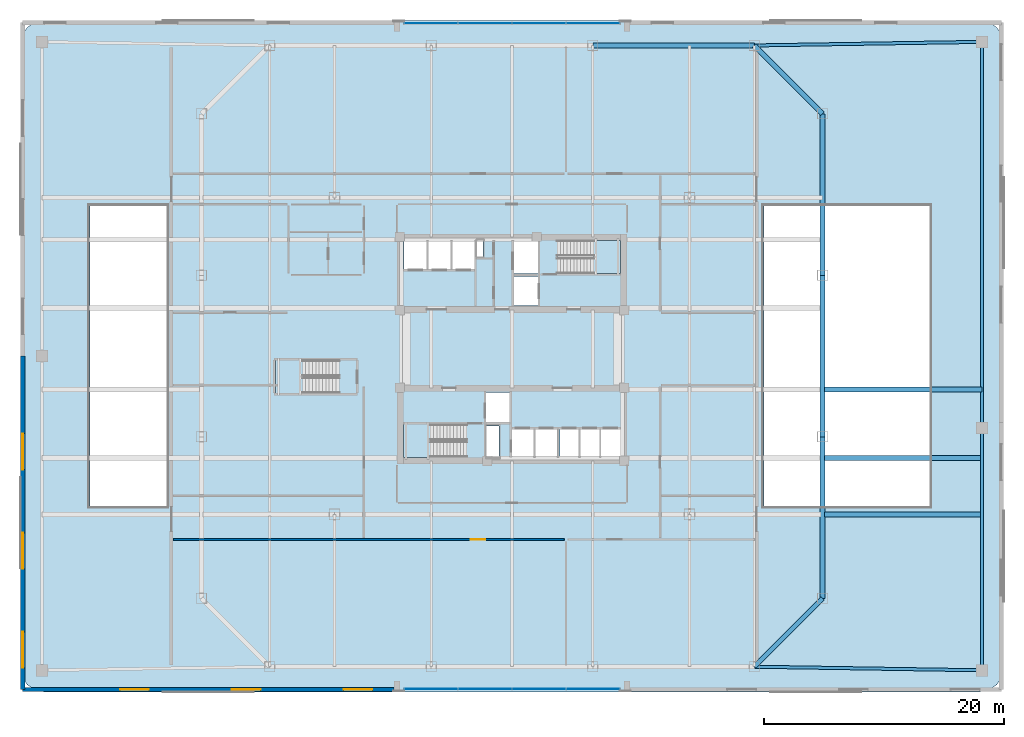
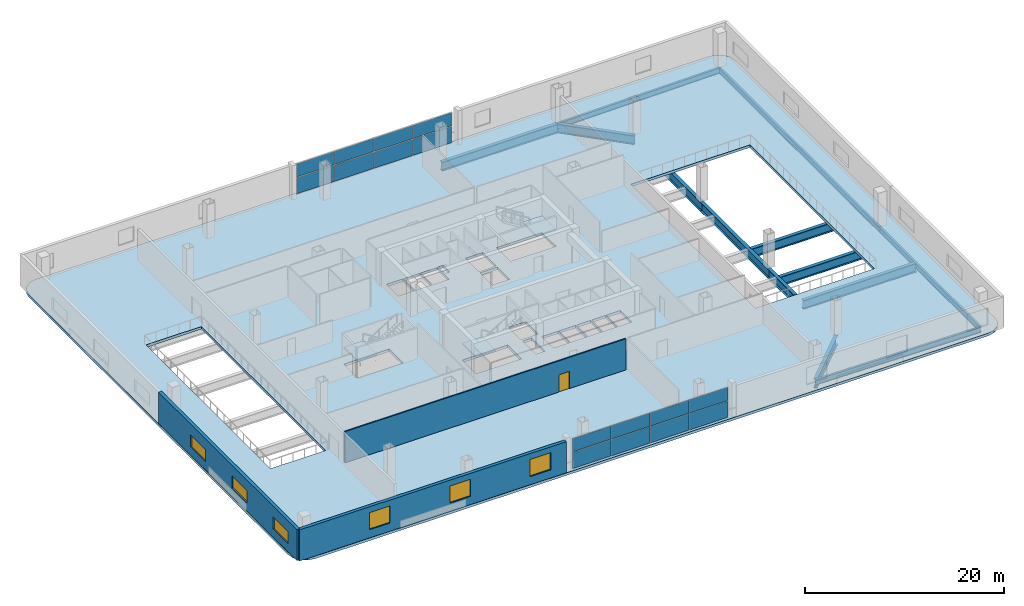
# One storey, part 11 of 21: 16 plates, 13 beams, 6 windows, 4 slabs, 3 walls, 1 door, 7 openings, 5 elements without a shape of their own.
"""IFC4 building model written with IfcOpenShell, lengths in metres."""

from ifc_helpers import new_model, si_unit, direction, frame, frame_2d, origin, origin_2d, place, context, subcontext, project, spatial, polyline, rectangle, i_section, outline, extrude, material, layer, layer_set, material_profile, profile_set, type_object, element, fill, aggregate, save


model = new_model("IFC4")

# Units and contexts
model_context = context("Model", 3, precision=1e-05, world=origin(), true_north=direction((0.0, 1.0)))
body_context = subcontext(model_context, "Body", "Model", "MODEL_VIEW")
ifc_project = project(units=[si_unit("LENGTHUNIT", "METRE"), si_unit("AREAUNIT", "SQUARE_METRE"), si_unit("VOLUMEUNIT", "CUBIC_METRE"), si_unit("PLANEANGLEUNIT", "RADIAN"), si_unit("MASSUNIT", "GRAM", prefix="KILO")], contexts=[model_context])

# Site, building, storey
site_placement = place(None, origin())
site = spatial("IfcSite", under=ifc_project, at=site_placement, CompositionType="ELEMENT")
building_placement = place(site_placement, origin())
building = spatial("IfcBuilding", under=site, at=building_placement, Name="Qhalaya Broadcast Tower", CompositionType="ELEMENT")
storey_placement = place(building_placement, frame((0.0, 0.0, 17.699951171875)))
storey = spatial("IfcBuildingStorey", under=building, at=storey_placement, Name="L04", CompositionType="ELEMENT", Elevation=17.699951171875)

# Beams
ifc_material_1 = material(Name="Structural Steel ASTM A992 Grade 50", Category="steel")
ifc_material_profile_1 = material_profile(ifc_material_1, i_section(OverallWidth=0.25390625, OverallDepth=0.68310546875, WebThickness=0.012451171875, FlangeThickness=0.01904296875, at=origin_2d()), Name="W27X94")
ifc_profile_set_1 = profile_set([ifc_material_profile_1], Name="Structural Steel ASTM A992 Grade 50")
beam_type_1 = type_object("IfcBeamType", Name="Perimeter Ring Spandrel Beam SP1", PredefinedType="SPANDREL", material=ifc_profile_set_1)
for number, where, z_axis, x_axis, name in (
    (1, (20.199951171875, -25.89990234375, -0.661376953125), (0.999875328998, -0.015790074776, 0.0), (0.015790074776, 0.999875328998, 0.0), "L04 SP1 L04-SP-S2"),
    (2, (20.199951171875, 25.89990234375, -0.661376953125), (0.999875328998, 0.015790074776, 0.0), (-0.015790074776, 0.999875328998, 0.0), "L04 SP1 L04-SP-N2"),
):
    element("IfcBeam", number, at=place(storey_placement, frame(where, z_axis=z_axis, x_axis=x_axis)), inside=storey, type_object=beam_type_1, Name=name, PredefinedType="SPANDREL", context=body_context, shape_type="SweptSolid", body=[
        extrude(i_section(OverallWidth=0.25390625, OverallDepth=0.68310546875, WebThickness=0.012451171875, FlangeThickness=0.01904296875, at=origin_2d()), origin(), (0.0, 0.0, 1.0), 19.00244140625),
    ])
beam_1_placement = place(storey_placement, frame((39.199951171875, -26.199951171875, -0.661376953125), z_axis=(0.0, 1.0, 0.0), x_axis=(-1.0, 0.0, 0.0)))
element("IfcBeam", 3, at=beam_1_placement, inside=storey, type_object=beam_type_1, Name="L04 SP1 L04-SP-E1", PredefinedType="SPANDREL", context=body_context, shape_type="SweptSolid", body=[
    extrude(i_section(OverallWidth=0.25390625, OverallDepth=0.68310546875, WebThickness=0.012451171875, FlangeThickness=0.01904296875, at=origin_2d()), origin(), (0.0, 0.0, 1.0), 20.199951171875),
])
beam_2_placement = place(storey_placement, frame((39.199951171875, -6.0, -0.661376953125), z_axis=(0.0, 1.0, 0.0), x_axis=(-1.0, 0.0, 0.0)))
element("IfcBeam", 4, at=beam_2_placement, inside=storey, type_object=beam_type_1, Name="L04 SP1 L04-SP-E2", PredefinedType="SPANDREL", context=body_context, shape_type="SweptSolid", body=[
    extrude(i_section(OverallWidth=0.25390625, OverallDepth=0.68310546875, WebThickness=0.012451171875, FlangeThickness=0.01904296875, at=origin_2d()), origin(), (0.0, 0.0, 1.0), 32.199951171875),
])
ifc_material_profile_2 = material_profile(ifc_material_1, i_section(OverallWidth=0.404052734375, OverallDepth=1.117919921875, WebThickness=0.026123046875, FlangeThickness=0.044921875, at=origin_2d()), Name="W44X335")
ifc_profile_set_2 = profile_set([ifc_material_profile_2], Name="Structural Steel ASTM A992 Grade 50")
beam_type_2 = type_object("IfcBeamType", Name="Podium Long-Span Primary Girder PG1", PredefinedType="USERDEFINED", material=ifc_profile_set_2)
beam_3_placement = place(storey_placement, frame((20.199951171875, -25.89990234375, -0.87890625), z_axis=(0.707106781187, 0.707106781187, 0.0), x_axis=(-0.707106781187, 0.707106781187, 0.0)))
element("IfcBeam", 5, at=beam_3_placement, inside=storey, type_object=beam_type_2, Name="L04 PG1 L04-PG-R04", ObjectType="GIRDER", PredefinedType="USERDEFINED", context=body_context, shape_type="SweptSolid", body=[
    extrude(i_section(OverallWidth=0.404052734375, OverallDepth=1.117919921875, WebThickness=0.026123046875, FlangeThickness=0.044921875, at=origin_2d()), origin(), (0.0, 0.0, 1.0), 8.06103515625),
])
beam_4_placement = place(storey_placement, frame((25.89990234375, -20.199951171875, -0.87890625), z_axis=(0.0, 1.0, 0.0), x_axis=(-1.0, 0.0, 0.0)))
element("IfcBeam", 6, at=beam_4_placement, inside=storey, type_object=beam_type_2, Name="L04 PG1 L04-PG-R05", ObjectType="GIRDER", PredefinedType="USERDEFINED", context=body_context, shape_type="SweptSolid", body=[
    extrude(i_section(OverallWidth=0.404052734375, OverallDepth=1.117919921875, WebThickness=0.026123046875, FlangeThickness=0.044921875, at=origin_2d()), origin(), (0.0, 0.0, 1.0), 13.466552734375),
])
beam_5_placement = place(storey_placement, frame((25.89990234375, -6.7333984375, -0.87890625), z_axis=(0.0, 1.0, 0.0), x_axis=(-1.0, 0.0, 0.0)))
element("IfcBeam", 7, at=beam_5_placement, inside=storey, type_object=beam_type_2, Name="L04 PG1 L04-PG-R06", ObjectType="GIRDER", PredefinedType="USERDEFINED", context=body_context, shape_type="SweptSolid", body=[
    extrude(i_section(OverallWidth=0.404052734375, OverallDepth=1.117919921875, WebThickness=0.026123046875, FlangeThickness=0.044921875, at=origin_2d()), origin(), (0.0, 0.0, 1.0), 13.466796875),
])
beam_6_placement = place(storey_placement, frame((25.89990234375, 6.7333984375, -0.87890625), z_axis=(0.0, 1.0, 0.0), x_axis=(-1.0, 0.0, 0.0)))
element("IfcBeam", 8, at=beam_6_placement, inside=storey, type_object=beam_type_2, Name="L04 PG1 L04-PG-R07", ObjectType="GIRDER", PredefinedType="USERDEFINED", context=body_context, shape_type="SweptSolid", body=[
    extrude(i_section(OverallWidth=0.404052734375, OverallDepth=1.117919921875, WebThickness=0.026123046875, FlangeThickness=0.044921875, at=origin_2d()), origin(), (0.0, 0.0, 1.0), 13.466552734375),
])
beam_7_placement = place(storey_placement, frame((25.89990234375, 20.199951171875, -0.87890625), z_axis=(-0.707106781187, 0.707106781187, 0.0), x_axis=(-0.707106781187, -0.707106781187, 0.0)))
element("IfcBeam", 9, at=beam_7_placement, inside=storey, type_object=beam_type_2, Name="L04 PG1 L04-PG-R08", ObjectType="GIRDER", PredefinedType="USERDEFINED", context=body_context, shape_type="SweptSolid", body=[
    extrude(i_section(OverallWidth=0.404052734375, OverallDepth=1.117919921875, WebThickness=0.026123046875, FlangeThickness=0.044921875, at=origin_2d()), origin(), (0.0, 0.0, 1.0), 8.06103515625),
])
beam_8_placement = place(storey_placement, frame((20.199951171875, 25.89990234375, -0.87890625), z_axis=(-1.0, 0.0, 0.0), x_axis=(0.0, -1.0, 0.0)))
element("IfcBeam", 10, at=beam_8_placement, inside=storey, type_object=beam_type_2, Name="L04 PG1 L04-PG-R09", ObjectType="GIRDER", PredefinedType="USERDEFINED", context=body_context, shape_type="SweptSolid", body=[
    extrude(i_section(OverallWidth=0.404052734375, OverallDepth=1.117919921875, WebThickness=0.026123046875, FlangeThickness=0.044921875, at=origin_2d()), origin(), (0.0, 0.0, 1.0), 13.466552734375),
])
for number, where, z_axis, x_axis, name in (
    (11, (26.0400390625, -13.199951171875, -0.87890625), (1.0, 0.0, 0.0), (0.0, 1.0, 0.0), "L04 PG1 L04-PG-GS5"),
    (12, (26.0400390625, -8.5, -0.87890625), (1.0, 0.0, 0.0), (0.0, 1.0, 0.0), "L04 PG1 L04-PG-E1B"),
    (13, (26.0400390625, -2.800048828125, -0.87890625), (1.0, 0.0, 0.0), (0.0, 1.0, 0.0), "L04 PG1 L04-PG-E2B"),
):
    element("IfcBeam", number, at=place(storey_placement, frame(where, z_axis=z_axis, x_axis=x_axis)), inside=storey, type_object=beam_type_2, Name=name, ObjectType="GIRDER", PredefinedType="USERDEFINED", context=body_context, shape_type="SweptSolid", body=[
        extrude(i_section(OverallWidth=0.404052734375, OverallDepth=1.117919921875, WebThickness=0.026123046875, FlangeThickness=0.044921875, at=origin_2d()), origin(), (0.0, 0.0, 1.0), 13.159912109375),
    ])

# Slab
ifc_material_2 = material(Name="Concrete C40/50", Category="concrete")
ifc_layer_1 = layer(ifc_material_2, 0.320068359375, Name="Concrete C40/50")
ifc_layer_set_1 = layer_set([ifc_layer_1], Name="Concrete C40/50")
slab_type_1 = type_object("IfcSlabType", Name="Podium Soundstage Box-in-Box Floor Slab 320", PredefinedType="FLOOR", material=ifc_layer_set_1)
slab_1_placement = place(storey_placement, frame((0.0, 0.0, -0.320068359375)))
element("IfcSlab", 14, at=slab_1_placement, inside=storey, type_object=slab_type_1, Name="L04 Main Structural Floor Slab", PredefinedType="FLOOR", context=body_context, shape_type="SweptSolid", body=[
    extrude(outline(polyline([(39.0, -28.0), (39.765380859375, -27.847900390625), (40.414306640625, -27.414306640625), (40.847900390625, -26.765380859375), (41.0, -26.0), (41.0, 26.0), (40.847900390625, 26.765380859375), (40.414306640625, 27.414306640625), (39.765380859375, 27.847900390625), (39.0, 28.0), (-39.0, 28.0), (-39.765380859375, 27.847900390625), (-40.414306640625, 27.414306640625), (-40.847900390625, 26.765380859375), (-41.0, 26.0), (-41.0, -26.0), (-40.847900390625, -26.765380859375), (-40.414306640625, -27.414306640625), (-39.765380859375, -27.847900390625), (-39.0, -28.0), (39.0, -28.0)]), holes=[polyline([(3.784912109375, 9.639892578125), (9.050048828125, 9.639892578125), (9.050048828125, 6.8798828125), (3.784912109375, 6.8798828125), (3.784912109375, 9.639892578125)]), polyline([(-3.784912109375, -8.43994140625), (-9.050048828125, -8.43994140625), (-9.050048828125, -5.679931640625), (-3.784912109375, -5.679931640625), (-3.784912109375, -8.43994140625)]), polyline([(-14.43505859375, -3.10009765625), (-19.699951171875, -3.10009765625), (-19.699951171875, -0.340087890625), (-14.43505859375, -0.340087890625), (-14.43505859375, -3.10009765625)]), polyline([(0.14990234375, 6.64990234375), (2.14990234375, 6.64990234375), (2.14990234375, 4.199951171875), (0.14990234375, 4.199951171875), (0.14990234375, 6.64990234375)]), polyline([(0.14990234375, 9.60009765625), (2.14990234375, 9.60009765625), (2.14990234375, 6.89990234375), (0.14990234375, 6.89990234375), (0.14990234375, 9.60009765625)]), polyline([(-2.14990234375, -3.050048828125), (-0.14990234375, -3.050048828125), (-0.14990234375, -5.5), (-2.14990234375, -5.5), (-2.14990234375, -3.050048828125)]), polyline([(-9.0, 9.60009765625), (-7.1201171875, 9.60009765625), (-7.1201171875, 7.25), (-9.0, 7.25), (-9.0, 9.60009765625)]), polyline([(-7.0, 9.60009765625), (-5.1201171875, 9.60009765625), (-5.1201171875, 7.25), (-7.0, 7.25), (-7.0, 9.60009765625)]), polyline([(-5.0, 9.60009765625), (-3.1201171875, 9.60009765625), (-3.1201171875, 7.25), (-5.0, 7.25), (-5.0, 9.60009765625)]), polyline([(-0.050048828125, -6.10009765625), (1.830078125, -6.10009765625), (1.830078125, -8.39990234375), (-0.050048828125, -8.39990234375), (-0.050048828125, -6.10009765625)]), polyline([(1.949951171875, -6.10009765625), (3.830078125, -6.10009765625), (3.830078125, -8.39990234375), (1.949951171875, -8.39990234375), (1.949951171875, -6.10009765625)]), polyline([(4.0, -6.10009765625), (5.60009765625, -6.10009765625), (5.60009765625, -8.39990234375), (4.0, -8.39990234375), (4.0, -6.10009765625)]), polyline([(5.719970703125, -6.10009765625), (7.320068359375, -6.10009765625), (7.320068359375, -8.39990234375), (5.719970703125, -8.39990234375), (5.719970703125, -6.10009765625)]), polyline([(7.43994140625, -6.10009765625), (9.0400390625, -6.10009765625), (9.0400390625, -8.39990234375), (7.43994140625, -8.39990234375), (7.43994140625, -6.10009765625)]), polyline([(-2.919921875, 9.659912109375), (-2.419921875, 9.659912109375), (-2.419921875, 8.320068359375), (-2.919921875, 8.320068359375), (-2.919921875, 9.659912109375)]), polyline([(-2.1201171875, -5.820068359375), (-1.080078125, -5.820068359375), (-1.080078125, -8.4599609375), (-2.1201171875, -8.4599609375), (-2.1201171875, -5.820068359375)]), polyline([(-35.199951171875, 12.5), (-28.800048828125, 12.5), (-28.800048828125, -12.5), (-35.199951171875, -12.5), (-35.199951171875, 12.5)]), polyline([(21.0, 12.5), (34.800048828125, 12.5), (34.800048828125, -12.5), (21.0, -12.5), (21.0, 12.5)])]), origin(), (0.0, 0.0, 1.0), 0.320068359375),
])

# Curtain wall, plates
ifc_material_3 = material(Name="Solar-Control Low-E Triple Glazing", Category="glass")
ifc_layer_2 = layer(ifc_material_3, 0.219970703125, Name="Solar-Control Low-E Triple Glazing")
ifc_layer_set_2 = layer_set([ifc_layer_2], Name="Solar-Control Low-E Triple Glazing")
curtain_wall_type = type_object("IfcCurtainWallType", Name="Podium Concourse Triple-Height Glazed Portal CW-01", PredefinedType="NOTDEFINED", material=ifc_layer_set_2)
curtain_wall_1_placement = place(storey_placement, origin())
curtain_wall_1 = element("IfcCurtainWall", 15, at=curtain_wall_1_placement, inside=storey, type_object=curtain_wall_type, Name="L04 Unitised Curtain Wall L04-CW01-S", PredefinedType="NOTDEFINED")
ifc_layer_3 = layer(ifc_material_3, 0.0380859375, Name="Solar-Control Low-E Triple Glazing")
ifc_layer_set_3 = layer_set([ifc_layer_3], Name="Solar-Control Low-E Triple Glazing")
plate_type = type_object("IfcPlateType", Name="Solar-Control Curtain Glazing Panel GLP-01", PredefinedType="CURTAIN_PANEL", material=ifc_layer_set_3)
plate_1_placement = place(storey_placement, frame((-6.768798828125, -27.75, 0.0751953125), z_axis=(0.0, 0.0, 1.0), x_axis=(1.0, 0.0, 0.0)))
plate_1 = element("IfcPlate", 16, at=plate_1_placement, type_object=plate_type, Name="CW-01 panel 1.1", PredefinedType="CURTAIN_PANEL", context=body_context, shape_type="SweptSolid", body=[
    extrude(rectangle(XDim=4.41259765625, YDim=0.0380859375, at=origin_2d()), origin(), (0.0, 0.0, 1.0), 1.988525390625),
])
plate_2_placement = place(storey_placement, frame((-6.768798828125, -27.75, 2.138671875), z_axis=(0.0, 0.0, 1.0), x_axis=(1.0, 0.0, 0.0)))
plate_2 = element("IfcPlate", 17, at=plate_2_placement, type_object=plate_type, Name="CW-01 panel 1.2", PredefinedType="CURTAIN_PANEL", context=body_context, shape_type="SweptSolid", body=[
    extrude(rectangle(XDim=4.41259765625, YDim=0.0380859375, at=origin_2d()), origin(), (0.0, 0.0, 1.0), 1.6064453125),
])
plate_3_placement = place(storey_placement, frame((-2.262451171875, -27.75, 0.0751953125), z_axis=(0.0, 0.0, 1.0), x_axis=(1.0, 0.0, 0.0)))
plate_3 = element("IfcPlate", 18, at=plate_3_placement, type_object=plate_type, Name="CW-01 panel 2.1", PredefinedType="CURTAIN_PANEL", context=body_context, shape_type="SweptSolid", body=[
    extrude(rectangle(XDim=4.449951171875, YDim=0.0380859375, at=origin_2d()), origin(), (0.0, 0.0, 1.0), 1.988525390625),
])
plate_4_placement = place(storey_placement, frame((-2.262451171875, -27.75, 2.138671875), z_axis=(0.0, 0.0, 1.0), x_axis=(1.0, 0.0, 0.0)))
plate_4 = element("IfcPlate", 19, at=plate_4_placement, type_object=plate_type, Name="CW-01 panel 2.2", PredefinedType="CURTAIN_PANEL", context=body_context, shape_type="SweptSolid", body=[
    extrude(rectangle(XDim=4.449951171875, YDim=0.0380859375, at=origin_2d()), origin(), (0.0, 0.0, 1.0), 1.6064453125),
])
plate_5_placement = place(storey_placement, frame((2.262451171875, -27.75, 0.0751953125), z_axis=(0.0, 0.0, 1.0), x_axis=(1.0, 0.0, 0.0)))
plate_5 = element("IfcPlate", 20, at=plate_5_placement, type_object=plate_type, Name="CW-01 panel 3.1", PredefinedType="CURTAIN_PANEL", context=body_context, shape_type="SweptSolid", body=[
    extrude(rectangle(XDim=4.449951171875, YDim=0.0380859375, at=origin_2d()), origin(), (0.0, 0.0, 1.0), 1.988525390625),
])
plate_6_placement = place(storey_placement, frame((2.262451171875, -27.75, 2.138671875), z_axis=(0.0, 0.0, 1.0), x_axis=(1.0, 0.0, 0.0)))
plate_6 = element("IfcPlate", 21, at=plate_6_placement, type_object=plate_type, Name="CW-01 panel 3.2", PredefinedType="CURTAIN_PANEL", context=body_context, shape_type="SweptSolid", body=[
    extrude(rectangle(XDim=4.449951171875, YDim=0.0380859375, at=origin_2d()), origin(), (0.0, 0.0, 1.0), 1.6064453125),
])
plate_7_placement = place(storey_placement, frame((6.768798828125, -27.75, 0.0751953125), z_axis=(0.0, 0.0, 1.0), x_axis=(1.0, 0.0, 0.0)))
plate_7 = element("IfcPlate", 22, at=plate_7_placement, type_object=plate_type, Name="CW-01 panel 4.1", PredefinedType="CURTAIN_PANEL", context=body_context, shape_type="SweptSolid", body=[
    extrude(rectangle(XDim=4.41259765625, YDim=0.0380859375, at=origin_2d()), origin(), (0.0, 0.0, 1.0), 1.988525390625),
])
plate_8_placement = place(storey_placement, frame((6.768798828125, -27.75, 2.138671875), z_axis=(0.0, 0.0, 1.0), x_axis=(1.0, 0.0, 0.0)))
plate_8 = element("IfcPlate", 23, at=plate_8_placement, type_object=plate_type, Name="CW-01 panel 4.2", PredefinedType="CURTAIN_PANEL", context=body_context, shape_type="SweptSolid", body=[
    extrude(rectangle(XDim=4.41259765625, YDim=0.0380859375, at=origin_2d()), origin(), (0.0, 0.0, 1.0), 1.6064453125),
])
aggregate(curtain_wall_1, [plate_1, plate_2, plate_3, plate_4, plate_5, plate_6, plate_7, plate_8])

curtain_wall_2_placement = place(storey_placement, origin())
curtain_wall_2 = element("IfcCurtainWall", 24, at=curtain_wall_2_placement, inside=storey, type_object=curtain_wall_type, Name="L04 Unitised Curtain Wall L04-CW01-N", PredefinedType="NOTDEFINED")
plate_9_placement = place(storey_placement, frame((6.768798828125, 27.75, 0.0751953125), z_axis=(0.0, 0.0, 1.0), x_axis=(-1.0, 0.0, 0.0)))
plate_9 = element("IfcPlate", 25, at=plate_9_placement, type_object=plate_type, Name="CW-01 panel 1.1", PredefinedType="CURTAIN_PANEL", context=body_context, shape_type="SweptSolid", body=[
    extrude(rectangle(XDim=4.41259765625, YDim=0.0380859375, at=origin_2d()), origin(), (0.0, 0.0, 1.0), 1.988525390625),
])
plate_10_placement = place(storey_placement, frame((6.768798828125, 27.75, 2.138671875), z_axis=(0.0, 0.0, 1.0), x_axis=(-1.0, 0.0, 0.0)))
plate_10 = element("IfcPlate", 26, at=plate_10_placement, type_object=plate_type, Name="CW-01 panel 1.2", PredefinedType="CURTAIN_PANEL", context=body_context, shape_type="SweptSolid", body=[
    extrude(rectangle(XDim=4.41259765625, YDim=0.0380859375, at=origin_2d()), origin(), (0.0, 0.0, 1.0), 1.6064453125),
])
plate_11_placement = place(storey_placement, frame((2.262451171875, 27.75, 0.0751953125), z_axis=(0.0, 0.0, 1.0), x_axis=(-1.0, 0.0, 0.0)))
plate_11 = element("IfcPlate", 27, at=plate_11_placement, type_object=plate_type, Name="CW-01 panel 2.1", PredefinedType="CURTAIN_PANEL", context=body_context, shape_type="SweptSolid", body=[
    extrude(rectangle(XDim=4.449951171875, YDim=0.0380859375, at=origin_2d()), origin(), (0.0, 0.0, 1.0), 1.988525390625),
])
plate_12_placement = place(storey_placement, frame((2.262451171875, 27.75, 2.138671875), z_axis=(0.0, 0.0, 1.0), x_axis=(-1.0, 0.0, 0.0)))
plate_12 = element("IfcPlate", 28, at=plate_12_placement, type_object=plate_type, Name="CW-01 panel 2.2", PredefinedType="CURTAIN_PANEL", context=body_context, shape_type="SweptSolid", body=[
    extrude(rectangle(XDim=4.449951171875, YDim=0.0380859375, at=origin_2d()), origin(), (0.0, 0.0, 1.0), 1.6064453125),
])
plate_13_placement = place(storey_placement, frame((-2.262451171875, 27.75, 0.0751953125), z_axis=(0.0, 0.0, 1.0), x_axis=(-1.0, 0.0, 0.0)))
plate_13 = element("IfcPlate", 29, at=plate_13_placement, type_object=plate_type, Name="CW-01 panel 3.1", PredefinedType="CURTAIN_PANEL", context=body_context, shape_type="SweptSolid", body=[
    extrude(rectangle(XDim=4.449951171875, YDim=0.0380859375, at=origin_2d()), origin(), (0.0, 0.0, 1.0), 1.988525390625),
])
plate_14_placement = place(storey_placement, frame((-2.262451171875, 27.75, 2.138671875), z_axis=(0.0, 0.0, 1.0), x_axis=(-1.0, 0.0, 0.0)))
plate_14 = element("IfcPlate", 30, at=plate_14_placement, type_object=plate_type, Name="CW-01 panel 3.2", PredefinedType="CURTAIN_PANEL", context=body_context, shape_type="SweptSolid", body=[
    extrude(rectangle(XDim=4.449951171875, YDim=0.0380859375, at=origin_2d()), origin(), (0.0, 0.0, 1.0), 1.6064453125),
])
plate_15_placement = place(storey_placement, frame((-6.768798828125, 27.75, 0.0751953125), z_axis=(0.0, 0.0, 1.0), x_axis=(-1.0, 0.0, 0.0)))
plate_15 = element("IfcPlate", 31, at=plate_15_placement, type_object=plate_type, Name="CW-01 panel 4.1", PredefinedType="CURTAIN_PANEL", context=body_context, shape_type="SweptSolid", body=[
    extrude(rectangle(XDim=4.41259765625, YDim=0.0380859375, at=origin_2d()), origin(), (0.0, 0.0, 1.0), 1.988525390625),
])
plate_16_placement = place(storey_placement, frame((-6.768798828125, 27.75, 2.138671875), z_axis=(0.0, 0.0, 1.0), x_axis=(-1.0, 0.0, 0.0)))
plate_16 = element("IfcPlate", 32, at=plate_16_placement, type_object=plate_type, Name="CW-01 panel 4.2", PredefinedType="CURTAIN_PANEL", context=body_context, shape_type="SweptSolid", body=[
    extrude(rectangle(XDim=4.41259765625, YDim=0.0380859375, at=origin_2d()), origin(), (0.0, 0.0, 1.0), 1.6064453125),
])
aggregate(curtain_wall_2, [plate_9, plate_10, plate_11, plate_12, plate_13, plate_14, plate_15, plate_16])

# Stair, slab
stair_type = type_object("IfcStairType", Name="Protected Dogleg Core Stair 4200", PredefinedType="TWO_STRAIGHT_RUN_STAIR", material=ifc_material_2)
stair_1_placement = place(storey_placement, origin())
stair_1 = element("IfcStair", 33, at=stair_1_placement, inside=storey, type_object=stair_type, Name="L04 North Core Exit Stair ST-1", PredefinedType="TWO_STRAIGHT_RUN_STAIR")
ifc_layer_4 = layer(ifc_material_2, 0.199951171875, Name="Concrete C40/50")
ifc_layer_set_4 = layer_set([ifc_layer_4], Name="Concrete C40/50")
slab_type_2 = type_object("IfcSlabType", Name="Stair & Ramp Half-Landing Slab 200", PredefinedType="LANDING", material=ifc_layer_set_4)
slab_2_placement = place(storey_placement, frame((0.0, 0.0, 1.900146484375)))
slab_2 = element("IfcSlab", 34, at=slab_2_placement, type_object=slab_type_2, Name="ST-1 landing 1", PredefinedType="LANDING", context=body_context, shape_type="SweptSolid", body=[
    extrude(outline(polyline([(6.794921875, 6.8798828125), (9.050048828125, 6.8798828125), (9.050048828125, 9.639892578125), (6.794921875, 9.639892578125), (6.794921875, 6.8798828125)])), origin(), (0.0, 0.0, 1.0), 0.199951171875),
])
aggregate(stair_1, [slab_2])

stair_2_placement = place(storey_placement, origin())
stair_2 = element("IfcStair", 35, at=stair_2_placement, inside=storey, type_object=stair_type, Name="L04 South Core Exit Stair ST-2", PredefinedType="TWO_STRAIGHT_RUN_STAIR")
slab_3_placement = place(storey_placement, frame((0.0, 0.0, 1.900146484375)))
slab_3 = element("IfcSlab", 36, at=slab_3_placement, type_object=slab_type_2, Name="ST-2 landing 1", PredefinedType="LANDING", context=body_context, shape_type="SweptSolid", body=[
    extrude(outline(polyline([(-6.794921875, -5.679931640625), (-9.050048828125, -5.679931640625), (-9.050048828125, -8.43994140625), (-6.794921875, -8.43994140625), (-6.794921875, -5.679931640625)])), origin(), (0.0, 0.0, 1.0), 0.199951171875),
])
aggregate(stair_2, [slab_3])

stair_3_placement = place(storey_placement, origin())
stair_3 = element("IfcStair", 37, at=stair_3_placement, inside=storey, type_object=stair_type, Name="L04 Podium West Escape Stair ST-P1", PredefinedType="TWO_STRAIGHT_RUN_STAIR")
slab_4_placement = place(storey_placement, frame((0.0, 0.0, 1.900146484375)))
slab_4 = element("IfcSlab", 38, at=slab_4_placement, type_object=slab_type_2, Name="ST-P1 landing 1", PredefinedType="LANDING", context=body_context, shape_type="SweptSolid", body=[
    extrude(outline(polyline([(-17.445068359375, -0.340087890625), (-19.699951171875, -0.340087890625), (-19.699951171875, -3.10009765625), (-17.445068359375, -3.10009765625), (-17.445068359375, -0.340087890625)])), origin(), (0.0, 0.0, 1.0), 0.199951171875),
])
aggregate(stair_3, [slab_4])

# Wall, opening, door
ifc_material_4 = material(Name="Gypsum Acoustic Partition")
ifc_layer_5 = layer(ifc_material_4, 0.14990234375, Name="Gypsum Acoustic Partition")
ifc_layer_set_5 = layer_set([ifc_layer_5], Name="Gypsum Acoustic Partition")
wall_type_1 = type_object("IfcWallType", Name="Corridor & Tenancy Acoustic Partition 150", PredefinedType="PARTITIONING", material=ifc_layer_set_5)
wall_1_placement = place(storey_placement, frame((-28.239990234375, -15.300048828125, 0.0), z_axis=(0.0, 0.0, 1.0), x_axis=(1.0, 0.0, 0.0)))
wall_1 = element("IfcWall", 39, at=wall_1_placement, inside=storey, type_object=wall_type_1, Name="L04 Partition Wall W-STS1L", PredefinedType="PARTITIONING", context=body_context, shape_type="SweptSolid", body=[
    extrude(rectangle(XDim=32.580078125, YDim=0.14990234375, at=frame_2d((16.2900390625, 0.0))), origin(), (0.0, 0.0, 1.0), 3.820068359375),
])
opening_1_placement = place(wall_1_placement, frame((24.81201171875, 0.0, 0.0)))
opening_1 = element("IfcOpeningElement", 40, at=opening_1_placement, cuts=wall_1, Name="Opening D11", PredefinedType="OPENING", context=body_context, shape_type="SweptSolid", body=[
    extrude(rectangle(XDim=1.199951171875, YDim=2.10009765625, at=frame_2d((0.60009765625, 1.050048828125))), frame((0.0, 0.0869140625, 0.0), z_axis=(0.0, -1.0, 0.0), x_axis=(1.0, 0.0, 0.0)), (0.0, 0.0, 1.0), 0.173828125),
])
ifc_material_5 = material(Name="Anodised Aluminium Glazed Door", Category="aluminium")
door_type = type_object("IfcDoorType", Name="Conference, Boardroom & Studio Control Door D11", OperationType="NOTDEFINED", PredefinedType="DOOR", material=ifc_material_5)
door_placement = place(opening_1_placement, origin())
door = element("IfcDoor", 41, at=door_placement, inside=storey, type_object=door_type, Name="L04 Door D-STS1", OperationType="SINGLE_SWING_RIGHT", OverallHeight=2.10009765625, OverallWidth=1.199951171875, PredefinedType="DOOR", context=body_context, shape_type="SweptSolid", body=[
    extrude(rectangle(XDim=1.199951171875, YDim=2.10009765625, at=frame_2d((0.60009765625, 1.050048828125))), frame((0.0, 0.02490234375, 0.0), z_axis=(0.0, -1.0, 0.0), x_axis=(1.0, 0.0, 0.0)), (0.0, 0.0, 1.0), 0.050048828125),
])
fill(opening_1, door)

# Wall, openings, windows
ifc_material_6 = material(Name="Precast Concrete C40/50", Category="concrete")
ifc_layer_6 = layer(ifc_material_6, 0.360107421875, Name="Precast Concrete C40/50")
ifc_layer_set_6 = layer_set([ifc_layer_6], Name="Precast Concrete C40/50")
wall_type_2 = type_object("IfcWallType", Name="Insulated Precast Terracotta Exterior Wall 360", PredefinedType="SOLIDWALL", material=ifc_layer_set_6)
wall_2_placement = place(storey_placement, frame((-9.840087890625, -27.800048828125, 0.0), z_axis=(0.0, 0.0, 1.0), x_axis=(-1.0, 0.0, 0.0)))
wall_2 = element("IfcWall", 42, at=wall_2_placement, inside=storey, type_object=wall_type_2, Name="L04 Podium Exterior Terracotta Wall EW-SW", PredefinedType="SOLIDWALL", context=body_context, shape_type="SweptSolid", body=[
    extrude(rectangle(XDim=30.9599609375, YDim=0.360107421875, at=frame_2d((15.47998046875, 0.0))), origin(), (0.0, 0.0, 1.0), 3.820068359375),
])
opening_2_placement = place(wall_2_placement, frame((1.800048828125, 0.0, 1.0)))
opening_2 = element("IfcOpeningElement", 43, at=opening_2_placement, cuts=wall_2, Name="Opening W01", PredefinedType="OPENING", context=body_context, shape_type="SweptSolid", body=[
    extrude(rectangle(XDim=2.39990234375, YDim=2.10009765625, at=frame_2d((1.199951171875, 1.050048828125))), frame((0.0, 0.192138671875, 0.0), z_axis=(0.0, -1.0, 0.0), x_axis=(1.0, 0.0, 0.0)), (0.0, 0.0, 1.0), 0.384033203125),
])
opening_3_placement = place(wall_2_placement, frame((11.1201171875, 0.0, 1.0)))
opening_3 = element("IfcOpeningElement", 44, at=opening_3_placement, cuts=wall_2, Name="Opening W01", PredefinedType="OPENING", context=body_context, shape_type="SweptSolid", body=[
    extrude(rectangle(XDim=2.39990234375, YDim=2.10009765625, at=frame_2d((1.199951171875, 1.050048828125))), frame((0.0, 0.192138671875, 0.0), z_axis=(0.0, -1.0, 0.0), x_axis=(1.0, 0.0, 0.0)), (0.0, 0.0, 1.0), 0.384033203125),
])
opening_4_placement = place(wall_2_placement, frame((20.43994140625, 0.0, 1.0)))
opening_4 = element("IfcOpeningElement", 45, at=opening_4_placement, cuts=wall_2, Name="Opening W01", PredefinedType="OPENING", context=body_context, shape_type="SweptSolid", body=[
    extrude(rectangle(XDim=2.39990234375, YDim=2.10009765625, at=frame_2d((1.199951171875, 1.050048828125))), frame((0.0, 0.192138671875, 0.0), z_axis=(0.0, -1.0, 0.0), x_axis=(1.0, 0.0, 0.0)), (0.0, 0.0, 1.0), 0.384033203125),
])
window_type_1 = type_object("IfcWindowType", Name="Podium Broadcast Studio Acoustic Window W01", PartitioningType="SINGLE_PANEL", PredefinedType="WINDOW", material=ifc_material_3)
window_1_placement = place(opening_2_placement, origin())
window_1 = element("IfcWindow", 46, at=window_1_placement, inside=storey, type_object=window_type_1, Name="L04 Facade Window W01-1", OverallHeight=2.10009765625, OverallWidth=2.39990234375, PartitioningType="SINGLE_PANEL", PredefinedType="WINDOW", context=body_context, shape_type="SweptSolid", body=[
    extrude(rectangle(XDim=2.39990234375, YDim=2.10009765625, at=frame_2d((1.199951171875, 1.050048828125))), frame((0.0, 0.030029296875, 0.0), z_axis=(0.0, -1.0, 0.0), x_axis=(1.0, 0.0, 0.0)), (0.0, 0.0, 1.0), 0.06005859375),
])
fill(opening_2, window_1)
window_2_placement = place(opening_3_placement, origin())
window_2 = element("IfcWindow", 47, at=window_2_placement, inside=storey, type_object=window_type_1, Name="L04 Facade Window W01-2", OverallHeight=2.10009765625, OverallWidth=2.39990234375, PartitioningType="SINGLE_PANEL", PredefinedType="WINDOW", context=body_context, shape_type="SweptSolid", body=[
    extrude(rectangle(XDim=2.39990234375, YDim=2.10009765625, at=frame_2d((1.199951171875, 1.050048828125))), frame((0.0, 0.030029296875, 0.0), z_axis=(0.0, -1.0, 0.0), x_axis=(1.0, 0.0, 0.0)), (0.0, 0.0, 1.0), 0.06005859375),
])
fill(opening_3, window_2)
window_3_placement = place(opening_4_placement, origin())
window_3 = element("IfcWindow", 48, at=window_3_placement, inside=storey, type_object=window_type_1, Name="L04 Facade Window W01-3", OverallHeight=2.10009765625, OverallWidth=2.39990234375, PartitioningType="SINGLE_PANEL", PredefinedType="WINDOW", context=body_context, shape_type="SweptSolid", body=[
    extrude(rectangle(XDim=2.39990234375, YDim=2.10009765625, at=frame_2d((1.199951171875, 1.050048828125))), frame((0.0, 0.030029296875, 0.0), z_axis=(0.0, -1.0, 0.0), x_axis=(1.0, 0.0, 0.0)), (0.0, 0.0, 1.0), 0.06005859375),
])
fill(opening_4, window_3)

wall_3_placement = place(storey_placement, frame((-40.800048828125, -27.800048828125, 0.0), z_axis=(0.0, 0.0, 1.0), x_axis=(0.0, 1.0, 0.0)))
wall_3 = element("IfcWall", 49, at=wall_3_placement, inside=storey, type_object=wall_type_2, Name="L04 Podium Exterior Terracotta Wall EW-WS", PredefinedType="SOLIDWALL", context=body_context, shape_type="SweptSolid", body=[
    extrude(rectangle(XDim=27.800048828125, YDim=0.360107421875, at=frame_2d((13.89990234375, 0.0))), origin(), (0.0, 0.0, 1.0), 3.820068359375),
])
opening_5_placement = place(wall_3_placement, frame((1.800048828125, 0.0, 1.0)))
opening_5 = element("IfcOpeningElement", 50, at=opening_5_placement, cuts=wall_3, Name="Opening W03", PredefinedType="OPENING", context=body_context, shape_type="SweptSolid", body=[
    extrude(rectangle(XDim=3.0, YDim=1.5, at=frame_2d((1.5, 0.75))), frame((0.0, 0.192138671875, 0.0), z_axis=(0.0, -1.0, 0.0), x_axis=(1.0, 0.0, 0.0)), (0.0, 0.0, 1.0), 0.384033203125),
])
opening_6_placement = place(wall_3_placement, frame((10.06689453125, 0.0, 1.0)))
opening_6 = element("IfcOpeningElement", 51, at=opening_6_placement, cuts=wall_3, Name="Opening W03", PredefinedType="OPENING", context=body_context, shape_type="SweptSolid", body=[
    extrude(rectangle(XDim=3.0, YDim=1.5, at=frame_2d((1.5, 0.75))), frame((0.0, 0.192138671875, 0.0), z_axis=(0.0, -1.0, 0.0), x_axis=(1.0, 0.0, 0.0)), (0.0, 0.0, 1.0), 0.384033203125),
])
opening_7_placement = place(wall_3_placement, frame((18.3330078125, 0.0, 1.0)))
opening_7 = element("IfcOpeningElement", 52, at=opening_7_placement, cuts=wall_3, Name="Opening W03", PredefinedType="OPENING", context=body_context, shape_type="SweptSolid", body=[
    extrude(rectangle(XDim=3.0, YDim=1.5, at=frame_2d((1.5, 0.75))), frame((0.0, 0.192138671875, 0.0), z_axis=(0.0, -1.0, 0.0), x_axis=(1.0, 0.0, 0.0)), (0.0, 0.0, 1.0), 0.384033203125),
])
window_type_2 = type_object("IfcWindowType", Name="Podium Concourse Clerestory Window W03", PartitioningType="SINGLE_PANEL", PredefinedType="WINDOW", material=ifc_material_3)
window_4_placement = place(opening_5_placement, origin())
window_4 = element("IfcWindow", 53, at=window_4_placement, inside=storey, type_object=window_type_2, Name="L04 Facade Window W03-1", OverallHeight=1.5, OverallWidth=3.0, PartitioningType="SINGLE_PANEL", PredefinedType="WINDOW", context=body_context, shape_type="SweptSolid", body=[
    extrude(rectangle(XDim=3.0, YDim=1.5, at=frame_2d((1.5, 0.75))), frame((0.0, 0.030029296875, 0.0), z_axis=(0.0, -1.0, 0.0), x_axis=(1.0, 0.0, 0.0)), (0.0, 0.0, 1.0), 0.06005859375),
])
fill(opening_5, window_4)
window_5_placement = place(opening_6_placement, origin())
window_5 = element("IfcWindow", 54, at=window_5_placement, inside=storey, type_object=window_type_2, Name="L04 Facade Window W03-2", OverallHeight=1.5, OverallWidth=3.0, PartitioningType="SINGLE_PANEL", PredefinedType="WINDOW", context=body_context, shape_type="SweptSolid", body=[
    extrude(rectangle(XDim=3.0, YDim=1.5, at=frame_2d((1.5, 0.75))), frame((0.0, 0.030029296875, 0.0), z_axis=(0.0, -1.0, 0.0), x_axis=(1.0, 0.0, 0.0)), (0.0, 0.0, 1.0), 0.06005859375),
])
fill(opening_6, window_5)
window_6_placement = place(opening_7_placement, origin())
window_6 = element("IfcWindow", 55, at=window_6_placement, inside=storey, type_object=window_type_2, Name="L04 Facade Window W03-3", OverallHeight=1.5, OverallWidth=3.0, PartitioningType="SINGLE_PANEL", PredefinedType="WINDOW", context=body_context, shape_type="SweptSolid", body=[
    extrude(rectangle(XDim=3.0, YDim=1.5, at=frame_2d((1.5, 0.75))), frame((0.0, 0.030029296875, 0.0), z_axis=(0.0, -1.0, 0.0), x_axis=(1.0, 0.0, 0.0)), (0.0, 0.0, 1.0), 0.06005859375),
])
fill(opening_7, window_6)

save(model, "model.ifc")
